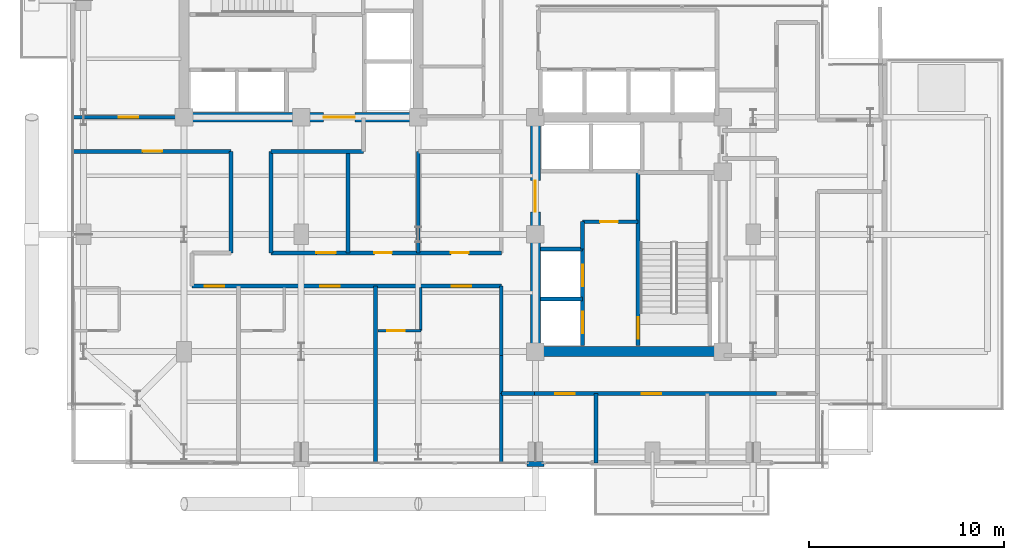
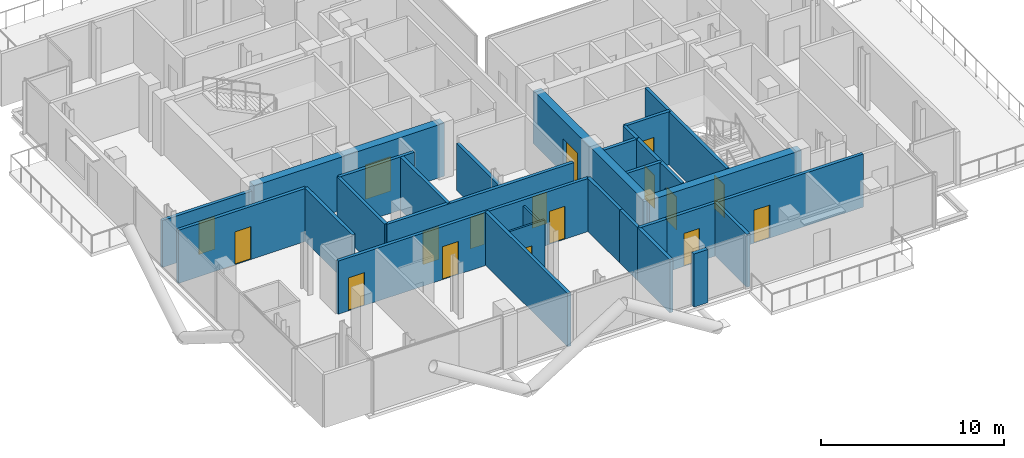
# One storey, part 21 of 28: 28 walls, 17 doors, 17 openings.
"""IFC4 building model written with IfcOpenShell, lengths in metres."""

from ifc_helpers import new_model, si_unit, direction, frame, frame_2d, origin, place, context, subcontext, project, spatial, rectangle, extrude, material, layer, layer_set, type_object, element, fill, save


model = new_model("IFC4")

# Units and contexts
model_context = context("Model", 3, precision=1e-05, world=origin(), true_north=direction((0.0, 1.0)))
body_context = subcontext(model_context, "Body", "Model", "MODEL_VIEW")
ifc_project = project(units=[si_unit("LENGTHUNIT", "METRE"), si_unit("AREAUNIT", "SQUARE_METRE"), si_unit("VOLUMEUNIT", "CUBIC_METRE"), si_unit("PLANEANGLEUNIT", "RADIAN"), si_unit("MASSUNIT", "GRAM", prefix="KILO"), si_unit("THERMODYNAMICTEMPERATUREUNIT", "KELVIN"), si_unit("POWERUNIT", "WATT")], contexts=[model_context])

# Site, building, storey
site_placement = place(None, origin())
site = spatial("IfcSite", under=ifc_project, at=site_placement, CompositionType="ELEMENT")
building_placement = place(site_placement, origin())
building = spatial("IfcBuilding", under=site, at=building_placement, Name="Svarakhadi Broadcast Tower", CompositionType="ELEMENT")
storey_placement = place(building_placement, frame((0.0, 0.0, 169.199951171875)))
storey = spatial("IfcBuildingStorey", under=building, at=storey_placement, Name="L41", CompositionType="ELEMENT", Elevation=169.199951171875)

# Wall, openings, doors
ifc_material_1 = material(Name="Double-Stud Acoustic Studio Partition STC-62", Category="gypsum")
ifc_layer_1 = layer(ifc_material_1, 0.199951171875)
ifc_layer_set_1 = layer_set([ifc_layer_1], Name="Double-Stud Acoustic Studio Partition STC-62")
wall_type_1 = type_object("IfcWallType", Name="Wall_Acoust_200", PredefinedType="PARTITIONING", material=ifc_layer_set_1)
wall_1_placement = place(storey_placement, frame((36.35009765625, 3.85009765625, 0.0), z_axis=(0.0, 0.0, 1.0), x_axis=(-1.0, 0.0, 0.0)))
wall_1 = element("IfcWall", 1, at=wall_1_placement, inside=storey, type_object=wall_type_1, Name="L41 Zone 2/3 Corridor Wall", PredefinedType="PARTITIONING", context=body_context, shape_type="SweptSolid", body=[
    extrude(rectangle(XDim=12.400146484375, YDim=0.199951171875, at=frame_2d((6.2001953125, 0.0))), origin(), (0.0, 0.0, 1.0), 3.5400390625),
])
opening_1_placement = place(wall_1_placement, frame((10.324951171875, 0.0, 0.0)))
opening_1 = element("IfcOpeningElement", 2, at=opening_1_placement, cuts=wall_1, Name="Opening D-09", PredefinedType="OPENING", context=body_context, shape_type="SweptSolid", body=[
    extrude(rectangle(XDim=1.0, YDim=2.199951171875, at=frame_2d((0.5, 1.10009765625))), frame((0.0, 0.10986328125, 0.0), z_axis=(0.0, -1.0, 0.0), x_axis=(1.0, 0.0, 0.0)), (0.0, 0.0, 1.0), 0.219970703125),
])
opening_2_placement = place(wall_1_placement, frame((5.89990234375, 0.0, 0.0)))
opening_2 = element("IfcOpeningElement", 3, at=opening_2_placement, cuts=wall_1, Name="Opening D-08", PredefinedType="OPENING", context=body_context, shape_type="SweptSolid", body=[
    extrude(rectangle(XDim=1.0, YDim=2.199951171875, at=frame_2d((0.5, 1.10009765625))), frame((0.0, 0.10986328125, 0.0), z_axis=(0.0, -1.0, 0.0), x_axis=(1.0, 0.0, 0.0)), (0.0, 0.0, 1.0), 0.219970703125),
])
ifc_material_2 = material(Name="Solid-Core Teak Veneer Acoustic Timber Leaf", Category="wood")
door_type_1 = type_object("IfcDoorType", Name="Door_Suite_D08", OperationType="SINGLE_SWING_LEFT", PredefinedType="DOOR", material=ifc_material_2)
door_1_placement = place(opening_2_placement, origin())
door_1 = element("IfcDoor", 4, at=door_1_placement, inside=storey, type_object=door_type_1, Name="L41 Private Dining Salon Door", OperationType="SINGLE_SWING_LEFT", OverallHeight=2.199951171875, OverallWidth=1.0, PredefinedType="DOOR", context=body_context, shape_type="SweptSolid", body=[
    extrude(rectangle(XDim=1.0, YDim=2.199951171875, at=frame_2d((0.5, 1.10009765625))), frame((0.0, 0.02490234375, 0.0), z_axis=(0.0, -1.0, 0.0), x_axis=(1.0, 0.0, 0.0)), (0.0, 0.0, 1.0), 0.050048828125),
])
fill(opening_2, door_1)
door_type_2 = type_object("IfcDoorType", Name="Door_Suite_D09", OperationType="SINGLE_SWING_RIGHT", PredefinedType="DOOR", material=ifc_material_2)
door_2_placement = place(opening_1_placement, origin())
door_2 = element("IfcDoor", 5, at=door_2_placement, inside=storey, type_object=door_type_2, Name="L41 Hotel Business Centre Office Door", OperationType="SINGLE_SWING_RIGHT", OverallHeight=2.199951171875, OverallWidth=1.0, PredefinedType="DOOR", context=body_context, shape_type="SweptSolid", body=[
    extrude(rectangle(XDim=1.0, YDim=2.199951171875, at=frame_2d((0.5, 1.10009765625))), frame((0.0, 0.02490234375, 0.0), z_axis=(0.0, -1.0, 0.0), x_axis=(1.0, 0.0, 0.0)), (0.0, 0.0, 1.0), 0.050048828125),
])
fill(opening_1, door_2)

# Walls
wall_2_placement = place(storey_placement, frame((23.949951171875, 3.85009765625, 0.0), z_axis=(0.0, 0.0, 1.0), x_axis=(-1.0, 0.0, 0.0)))
element("IfcWall", 6, at=wall_2_placement, inside=storey, type_object=wall_type_1, Name="L41 Zone 2/3 Corridor Wall", PredefinedType="PARTITIONING", context=body_context, shape_type="SweptSolid", body=[
    extrude(rectangle(XDim=1.699951171875, YDim=0.199951171875, at=frame_2d((0.85009765625, 0.0))), origin(), (0.0, 0.0, 1.0), 3.5400390625),
])
wall_3_placement = place(storey_placement, frame((22.25, 3.85009765625, 0.0), z_axis=(0.0, 0.0, 1.0), x_axis=(0.0, 1.0, 0.0)))
element("IfcWall", 7, at=wall_3_placement, inside=storey, type_object=wall_type_1, Name="L41 Zone 2/3 Corridor Wall", PredefinedType="PARTITIONING", context=body_context, shape_type="SweptSolid", body=[
    extrude(rectangle(XDim=1.949951171875, YDim=0.199951171875, at=frame_2d((0.97509765625, 0.0))), origin(), (0.0, 0.0, 1.0), 3.5400390625),
])
wall_4_placement = place(storey_placement, frame((22.25, 5.800048828125, 0.0), z_axis=(0.0, 0.0, 1.0), x_axis=(0.0, 1.0, 0.0)))
element("IfcWall", 8, at=wall_4_placement, inside=storey, type_object=wall_type_1, Name="L41 Zone 2/3 Corridor Wall", PredefinedType="PARTITIONING", context=body_context, shape_type="SweptSolid", body=[
    extrude(rectangle(XDim=3.550048828125, YDim=0.199951171875, at=frame_2d((1.77490234375, 0.0))), origin(), (0.0, 0.0, 1.0), 3.5400390625),
])

# Wall, openings, doors
wall_5_placement = place(storey_placement, frame((22.25, 9.35009765625, 0.0), z_axis=(0.0, 0.0, 1.0), x_axis=(-1.0, 0.0, 0.0)))
wall_5 = element("IfcWall", 9, at=wall_5_placement, inside=storey, type_object=wall_type_1, Name="L41 Zone 2/3 Corridor Wall", PredefinedType="PARTITIONING", context=body_context, shape_type="SweptSolid", body=[
    extrude(rectangle(XDim=15.85009765625, YDim=0.199951171875, at=frame_2d((7.925048828125, 0.0))), origin(), (0.0, 0.0, 1.0), 3.5400390625),
])
opening_3_placement = place(wall_5_placement, frame((14.18994140625, 0.0, 0.0)))
opening_3 = element("IfcOpeningElement", 10, at=opening_3_placement, cuts=wall_5, Name="Opening D-09", PredefinedType="OPENING", context=body_context, shape_type="SweptSolid", body=[
    extrude(rectangle(XDim=1.0, YDim=2.199951171875, at=frame_2d((0.5, 1.10009765625))), frame((0.0, 0.10986328125, 0.0), z_axis=(0.0, -1.0, 0.0), x_axis=(1.0, 0.0, 0.0)), (0.0, 0.0, 1.0), 0.219970703125),
])
opening_4_placement = place(wall_5_placement, frame((8.264892578125, 0.0, 0.0)))
opening_4 = element("IfcOpeningElement", 11, at=opening_4_placement, cuts=wall_5, Name="Opening D-08", PredefinedType="OPENING", context=body_context, shape_type="SweptSolid", body=[
    extrude(rectangle(XDim=1.0, YDim=2.199951171875, at=frame_2d((0.5, 1.10009765625))), frame((0.0, 0.10986328125, 0.0), z_axis=(0.0, -1.0, 0.0), x_axis=(1.0, 0.0, 0.0)), (0.0, 0.0, 1.0), 0.219970703125),
])
opening_5_placement = place(wall_5_placement, frame((1.5400390625, 0.0, 0.0)))
opening_5 = element("IfcOpeningElement", 12, at=opening_5_placement, cuts=wall_5, Name="Opening D-09", PredefinedType="OPENING", context=body_context, shape_type="SweptSolid", body=[
    extrude(rectangle(XDim=1.0, YDim=2.199951171875, at=frame_2d((0.5, 1.10009765625))), frame((0.0, 0.10986328125, 0.0), z_axis=(0.0, -1.0, 0.0), x_axis=(1.0, 0.0, 0.0)), (0.0, 0.0, 1.0), 0.219970703125),
])
door_3_placement = place(opening_4_placement, origin())
door_3 = element("IfcDoor", 13, at=door_3_placement, inside=storey, type_object=door_type_1, Name="L41 Deluxe Sea-View Guest Room 02 Entrance Door", OperationType="SINGLE_SWING_LEFT", OverallHeight=2.199951171875, OverallWidth=1.0, PredefinedType="DOOR", context=body_context, shape_type="SweptSolid", body=[
    extrude(rectangle(XDim=1.0, YDim=2.199951171875, at=frame_2d((0.5, 1.10009765625))), frame((0.0, 0.02490234375, 0.0), z_axis=(0.0, -1.0, 0.0), x_axis=(1.0, 0.0, 0.0)), (0.0, 0.0, 1.0), 0.050048828125),
])
fill(opening_4, door_3)
door_4_placement = place(opening_3_placement, origin())
door_4 = element("IfcDoor", 14, at=door_4_placement, inside=storey, type_object=door_type_2, Name="L41 Deluxe Sea-View Guest Room 01 Entrance Door", OperationType="SINGLE_SWING_RIGHT", OverallHeight=2.199951171875, OverallWidth=1.0, PredefinedType="DOOR", context=body_context, shape_type="SweptSolid", body=[
    extrude(rectangle(XDim=1.0, YDim=2.199951171875, at=frame_2d((0.5, 1.10009765625))), frame((0.0, 0.02490234375, 0.0), z_axis=(0.0, -1.0, 0.0), x_axis=(1.0, 0.0, 0.0)), (0.0, 0.0, 1.0), 0.050048828125),
])
fill(opening_3, door_4)
door_5_placement = place(opening_5_placement, origin())
door_5 = element("IfcDoor", 15, at=door_5_placement, inside=storey, type_object=door_type_2, Name="L41 Deluxe Sea-View Guest Room 03 Entrance Door", OperationType="SINGLE_SWING_RIGHT", OverallHeight=2.199951171875, OverallWidth=1.0, PredefinedType="DOOR", context=body_context, shape_type="SweptSolid", body=[
    extrude(rectangle(XDim=1.0, YDim=2.199951171875, at=frame_2d((0.5, 1.10009765625))), frame((0.0, 0.02490234375, 0.0), z_axis=(0.0, -1.0, 0.0), x_axis=(1.0, 0.0, 0.0)), (0.0, 0.0, 1.0), 0.050048828125),
])
fill(opening_5, door_5)

# Wall
wall_6_placement = place(storey_placement, frame((8.39990234375, 11.050048828125, 0.0), z_axis=(0.0, 0.0, 1.0), x_axis=(0.0, 1.0, 0.0)))
element("IfcWall", 16, at=wall_6_placement, inside=storey, type_object=wall_type_1, Name="L41 Zone 2/3 Corridor Wall", PredefinedType="PARTITIONING", context=body_context, shape_type="SweptSolid", body=[
    extrude(rectangle(XDim=5.199951171875, YDim=0.199951171875, at=frame_2d((2.60009765625, 0.0))), origin(), (0.0, 0.0, 1.0), 3.5400390625),
])

# Wall, opening, door
wall_7_placement = place(storey_placement, frame((8.39990234375, 16.25, 0.0), z_axis=(0.0, 0.0, 1.0), x_axis=(-1.0, 0.0, 0.0)))
wall_7 = element("IfcWall", 17, at=wall_7_placement, inside=storey, type_object=wall_type_1, Name="L41 Zone 2/3 Corridor Wall", PredefinedType="PARTITIONING", context=body_context, shape_type="SweptSolid", body=[
    extrude(rectangle(XDim=8.099853515625, YDim=0.199951171875, at=frame_2d((4.0498046875, 0.0))), origin(), (0.0, 0.0, 1.0), 3.5400390625),
])
opening_6_placement = place(wall_7_placement, frame((3.52490234375, 0.0, 0.0)))
opening_6 = element("IfcOpeningElement", 18, at=opening_6_placement, cuts=wall_7, Name="Opening D-08", PredefinedType="OPENING", context=body_context, shape_type="SweptSolid", body=[
    extrude(rectangle(XDim=1.0, YDim=2.199951171875, at=frame_2d((0.5, 1.10009765625))), frame((0.0, 0.10986328125, 0.0), z_axis=(0.0, -1.0, 0.0), x_axis=(1.0, 0.0, 0.0)), (0.0, 0.0, 1.0), 0.219970703125),
])
door_6_placement = place(opening_6_placement, origin())
door_6 = element("IfcDoor", 19, at=door_6_placement, inside=storey, type_object=door_type_1, Name="L41 Arabian Sea Club Lounge Door", OperationType="SINGLE_SWING_LEFT", OverallHeight=2.199951171875, OverallWidth=1.0, PredefinedType="DOOR", context=body_context, shape_type="SweptSolid", body=[
    extrude(rectangle(XDim=1.0, YDim=2.199951171875, at=frame_2d((0.5, 1.10009765625))), frame((0.0, 0.02490234375, 0.0), z_axis=(0.0, -1.0, 0.0), x_axis=(1.0, 0.0, 0.0)), (0.0, 0.0, 1.0), 0.050048828125),
])
fill(opening_6, door_6)

# Walls
wall_8_placement = place(storey_placement, frame((15.199951171875, 16.25, 0.0), z_axis=(0.0, 0.0, 1.0), x_axis=(-1.0, 0.0, 0.0)))
element("IfcWall", 20, at=wall_8_placement, inside=storey, type_object=wall_type_1, Name="L41 Zone 2/3 Corridor Wall", PredefinedType="PARTITIONING", context=body_context, shape_type="SweptSolid", body=[
    extrude(rectangle(XDim=4.75, YDim=0.199951171875, at=frame_2d((2.375, 0.0))), origin(), (0.0, 0.0, 1.0), 3.5400390625),
])
wall_9_placement = place(storey_placement, frame((10.449951171875, 16.25, 0.0), z_axis=(0.0, 0.0, 1.0), x_axis=(0.0, -1.0, 0.0)))
element("IfcWall", 21, at=wall_9_placement, inside=storey, type_object=wall_type_1, Name="L41 Zone 2/3 Corridor Wall", PredefinedType="PARTITIONING", context=body_context, shape_type="SweptSolid", body=[
    extrude(rectangle(XDim=5.199951171875, YDim=0.199951171875, at=frame_2d((2.60009765625, 0.0))), origin(), (0.0, 0.0, 1.0), 3.5400390625),
])

# Wall, openings, doors
wall_10_placement = place(storey_placement, frame((10.449951171875, 11.050048828125, 0.0), z_axis=(0.0, 0.0, 1.0), x_axis=(1.0, 0.0, 0.0)))
wall_10 = element("IfcWall", 22, at=wall_10_placement, inside=storey, type_object=wall_type_1, Name="L41 Zone 2/3 Corridor Wall", PredefinedType="PARTITIONING", context=body_context, shape_type="SweptSolid", body=[
    extrude(rectangle(XDim=11.800048828125, YDim=0.199951171875, at=frame_2d((5.89990234375, 0.0))), origin(), (0.0, 0.0, 1.0), 3.5400390625),
])
opening_7_placement = place(wall_10_placement, frame((2.330078125, 0.0, 0.0)))
opening_7 = element("IfcOpeningElement", 23, at=opening_7_placement, cuts=wall_10, Name="Opening D-09", PredefinedType="OPENING", context=body_context, shape_type="SweptSolid", body=[
    extrude(rectangle(XDim=1.0, YDim=2.199951171875, at=frame_2d((0.5, 1.10009765625))), frame((0.0, 0.10986328125, 0.0), z_axis=(0.0, -1.0, 0.0), x_axis=(1.0, 0.0, 0.0)), (0.0, 0.0, 1.0), 0.219970703125),
])
opening_8_placement = place(wall_10_placement, frame((5.300048828125, 0.0, 0.0)))
opening_8 = element("IfcOpeningElement", 24, at=opening_8_placement, cuts=wall_10, Name="Opening D-12", PredefinedType="OPENING", context=body_context, shape_type="SweptSolid", body=[
    extrude(rectangle(XDim=0.89990234375, YDim=2.10009765625, at=frame_2d((0.449951171875, 1.050048828125))), frame((0.0, 0.10986328125, 0.0), z_axis=(0.0, -1.0, 0.0), x_axis=(1.0, 0.0, 0.0)), (0.0, 0.0, 1.0), 0.219970703125),
])
opening_9_placement = place(wall_10_placement, frame((9.22509765625, 0.0, 0.0)))
opening_9 = element("IfcOpeningElement", 25, at=opening_9_placement, cuts=wall_10, Name="Opening D-13", PredefinedType="OPENING", context=body_context, shape_type="SweptSolid", body=[
    extrude(rectangle(XDim=0.89990234375, YDim=2.10009765625, at=frame_2d((0.449951171875, 1.050048828125))), frame((0.0, 0.10986328125, 0.0), z_axis=(0.0, -1.0, 0.0), x_axis=(1.0, 0.0, 0.0)), (0.0, 0.0, 1.0), 0.219970703125),
])
door_type_3 = type_object("IfcDoorType", Name="Door_Closet_D13", OperationType="SINGLE_SWING_RIGHT", PredefinedType="DOOR", material=ifc_material_2)
door_7_placement = place(opening_9_placement, origin())
door_7 = element("IfcDoor", 26, at=door_7_placement, inside=storey, type_object=door_type_3, Name="L41 Accessible Floor Washroom WC Door", OperationType="SINGLE_SWING_RIGHT", OverallHeight=2.10009765625, OverallWidth=0.89990234375, PredefinedType="DOOR", context=body_context, shape_type="SweptSolid", body=[
    extrude(rectangle(XDim=0.89990234375, YDim=2.10009765625, at=frame_2d((0.449951171875, 1.050048828125))), frame((0.0, 0.02490234375, 0.0), z_axis=(0.0, -1.0, 0.0), x_axis=(1.0, 0.0, 0.0)), (0.0, 0.0, 1.0), 0.050048828125),
])
fill(opening_9, door_7)
door_8_placement = place(opening_7_placement, origin())
door_8 = element("IfcDoor", 27, at=door_8_placement, inside=storey, type_object=door_type_2, Name="L41 Acoustic Huddle Booth Door", OperationType="SINGLE_SWING_RIGHT", OverallHeight=2.199951171875, OverallWidth=1.0, PredefinedType="DOOR", context=body_context, shape_type="SweptSolid", body=[
    extrude(rectangle(XDim=1.0, YDim=2.199951171875, at=frame_2d((0.5, 1.10009765625))), frame((0.0, 0.02490234375, 0.0), z_axis=(0.0, -1.0, 0.0), x_axis=(1.0, 0.0, 0.0)), (0.0, 0.0, 1.0), 0.050048828125),
])
fill(opening_7, door_8)
door_type_4 = type_object("IfcDoorType", Name="Door_WC_D01", OperationType="SINGLE_SWING_LEFT", PredefinedType="DOOR", material=ifc_material_2)
door_9_placement = place(opening_8_placement, origin())
door_9 = element("IfcDoor", 28, at=door_9_placement, inside=storey, type_object=door_type_4, Name="L41 Tea Bar Pantry Door", OperationType="SINGLE_SWING_LEFT", OverallHeight=2.10009765625, OverallWidth=0.89990234375, PredefinedType="DOOR", context=body_context, shape_type="SweptSolid", body=[
    extrude(rectangle(XDim=0.89990234375, YDim=2.10009765625, at=frame_2d((0.449951171875, 1.050048828125))), frame((0.0, 0.02490234375, 0.0), z_axis=(0.0, -1.0, 0.0), x_axis=(1.0, 0.0, 0.0)), (0.0, 0.0, 1.0), 0.050048828125),
])
fill(opening_8, door_9)

# Walls
wall_11_placement = place(storey_placement, frame((14.39990234375, 11.050048828125, 0.0), z_axis=(0.0, 0.0, 1.0), x_axis=(0.0, 1.0, 0.0)))
element("IfcWall", 29, at=wall_11_placement, inside=storey, type_object=wall_type_1, Name="L41 Acoustic Huddle Booth Wall", PredefinedType="PARTITIONING", context=body_context, shape_type="SweptSolid", body=[
    extrude(rectangle(XDim=5.199951171875, YDim=0.199951171875, at=frame_2d((2.60009765625, 0.0))), origin(), (0.0, 0.0, 1.0), 3.5400390625),
])
wall_12_placement = place(storey_placement, frame((18.0, 11.050048828125, 0.0), z_axis=(0.0, 0.0, 1.0), x_axis=(0.0, 1.0, 0.0)))
element("IfcWall", 30, at=wall_12_placement, inside=storey, type_object=wall_type_1, Name="L41 Tea Bar Pantry Wall", PredefinedType="PARTITIONING", context=body_context, shape_type="SweptSolid", body=[
    extrude(rectangle(XDim=5.199951171875, YDim=0.199951171875, at=frame_2d((2.60009765625, 0.0))), origin(), (0.0, 0.0, 1.0), 3.132080078125),
])

# Wall, opening, door
wall_13_placement = place(storey_placement, frame((0.300048828125, 18.0, 0.0), z_axis=(0.0, 0.0, 1.0), x_axis=(1.0, 0.0, 0.0)))
wall_13 = element("IfcWall", 31, at=wall_13_placement, inside=storey, type_object=wall_type_1, Name="L41 Sea-View Panorama Club Salon Wall", PredefinedType="PARTITIONING", context=body_context, shape_type="SweptSolid", body=[
    extrude(rectangle(XDim=5.64990234375, YDim=0.199951171875, at=frame_2d((2.824951171875, 0.0))), origin(), (0.0, 0.0, 1.0), 3.132080078125),
])
opening_10_placement = place(wall_13_placement, frame((2.35009765625, 0.0, 0.0)))
opening_10 = element("IfcOpeningElement", 32, at=opening_10_placement, cuts=wall_13, Name="Opening D-08", PredefinedType="OPENING", context=body_context, shape_type="SweptSolid", body=[
    extrude(rectangle(XDim=1.0, YDim=2.199951171875, at=frame_2d((0.5, 1.10009765625))), frame((0.0, 0.10986328125, 0.0), z_axis=(0.0, -1.0, 0.0), x_axis=(1.0, 0.0, 0.0)), (0.0, 0.0, 1.0), 0.219970703125),
])
door_10_placement = place(opening_10_placement, origin())
door_10 = element("IfcDoor", 33, at=door_10_placement, inside=storey, type_object=door_type_1, Name="L41 Sea-View Panorama Club Salon Door", OperationType="SINGLE_SWING_LEFT", OverallHeight=2.199951171875, OverallWidth=1.0, PredefinedType="DOOR", context=body_context, shape_type="SweptSolid", body=[
    extrude(rectangle(XDim=1.0, YDim=2.199951171875, at=frame_2d((0.5, 1.10009765625))), frame((0.0, 0.02490234375, 0.0), z_axis=(0.0, -1.0, 0.0), x_axis=(1.0, 0.0, 0.0)), (0.0, 0.0, 1.0), 0.050048828125),
])
fill(opening_10, door_10)

# Walls
for number, where, z_axis, x_axis, name in (
    (34, (22.25, 0.300048828125, 0.0), (0.0, 0.0, 1.0), (0.0, 1.0, 0.0), "L41 Hotel Business Centre Office Wall"),
    (35, (27.10009765625, 0.300048828125, 0.0), (0.0, 0.0, 1.0), (0.0, 1.0, 0.0), "L41 Hotel Business Centre Office Wall"),
):
    element("IfcWall", number, at=place(storey_placement, frame(where, z_axis=z_axis, x_axis=x_axis)), inside=storey, type_object=wall_type_1, Name=name, PredefinedType="PARTITIONING", context=body_context, shape_type="SweptSolid", body=[
        extrude(rectangle(XDim=3.550048828125, YDim=0.199951171875, at=frame_2d((1.77490234375, 0.0))), origin(), (0.0, 0.0, 1.0), 3.5400390625),
    ])
wall_14_placement = place(storey_placement, frame((15.800048828125, 0.300048828125, 0.0), z_axis=(0.0, 0.0, 1.0), x_axis=(0.0, 1.0, 0.0)))
element("IfcWall", 36, at=wall_14_placement, inside=storey, type_object=wall_type_1, Name="L41 Deluxe Sea-View Guest Room 02 Wall", PredefinedType="PARTITIONING", context=body_context, shape_type="SweptSolid", body=[
    extrude(rectangle(XDim=9.050048828125, YDim=0.199951171875, at=frame_2d((4.52490234375, 0.0))), origin(), (0.0, 0.0, 1.0), 3.5400390625),
])
ifc_material_3 = material(Name="Concrete C40/50 (IS 456 M50)", Category="concrete")
ifc_layer_2 = layer(ifc_material_3, 0.239990234375)
ifc_layer_set_2 = layer_set([ifc_layer_2], Name="Concrete C40/50 (IS 456 M50)")
wall_type_2 = type_object("IfcWallType", Name="Wall_Ext_240", PredefinedType="SOLIDWALL", material=ifc_layer_set_2)
wall_15_placement = place(storey_placement, frame((24.43994140625, 0.239990234375, 0.0), z_axis=(0.0, 0.0, 1.0), x_axis=(-1.0, 0.0, 0.0)))
element("IfcWall", 37, at=wall_15_placement, inside=storey, type_object=wall_type_2, Name="L41 Perimeter Bronze Spandrel Closure Wall 01", PredefinedType="SOLIDWALL", context=body_context, shape_type="SweptSolid", body=[
    extrude(rectangle(XDim=0.8798828125, YDim=0.239990234375, at=frame_2d((0.43994140625, 0.0))), origin(), (0.0, 0.0, 1.0), 3.5400390625),
])

# Wall, opening, door
ifc_material_4 = material(Name="Fire-Rated Moisture-Resistant Gypsum Board Partition", Category="gypsum")
ifc_layer_3 = layer(ifc_material_4, 0.125)
ifc_layer_set_3 = layer_set([ifc_layer_3], Name="Fire-Rated Moisture-Resistant Gypsum Board Partition")
wall_type_3 = type_object("IfcWallType", Name="Wall_Part_125", PredefinedType="PARTITIONING", material=ifc_layer_set_3)
wall_16_placement = place(storey_placement, frame((15.929931640625, 7.070068359375, 0.0), z_axis=(0.0, 0.0, 1.0), x_axis=(1.0, 0.0, 0.0)))
wall_16 = element("IfcWall", 38, at=wall_16_placement, inside=storey, type_object=wall_type_3, Name="L41 Deluxe Sea-View Guest Room 03 En-Suite Wall", PredefinedType="PARTITIONING", context=body_context, shape_type="SweptSolid", body=[
    extrude(rectangle(XDim=2.199951171875, YDim=0.125, at=frame_2d((1.10009765625, 0.0))), origin(), (0.0, 0.0, 1.0), 3.5400390625),
])
opening_11_placement = place(wall_16_placement, frame((0.47998046875, 0.0, 0.0)))
opening_11 = element("IfcOpeningElement", 39, at=opening_11_placement, cuts=wall_16, Name="Opening D-12", PredefinedType="OPENING", context=body_context, shape_type="SweptSolid", body=[
    extrude(rectangle(XDim=0.89990234375, YDim=2.10009765625, at=frame_2d((0.449951171875, 1.050048828125))), frame((0.0, 0.072509765625, 0.0), z_axis=(0.0, -1.0, 0.0), x_axis=(1.0, 0.0, 0.0)), (0.0, 0.0, 1.0), 0.14501953125),
])
door_11_placement = place(opening_11_placement, origin())
door_11 = element("IfcDoor", 40, at=door_11_placement, inside=storey, type_object=door_type_4, Name="L41 Deluxe Sea-View Guest Room 03 En-Suite Door", OperationType="SINGLE_SWING_LEFT", OverallHeight=2.10009765625, OverallWidth=0.89990234375, PredefinedType="DOOR", context=body_context, shape_type="SweptSolid", body=[
    extrude(rectangle(XDim=0.89990234375, YDim=2.10009765625, at=frame_2d((0.449951171875, 1.050048828125))), frame((0.0, 0.02490234375, 0.0), z_axis=(0.0, -1.0, 0.0), x_axis=(1.0, 0.0, 0.0)), (0.0, 0.0, 1.0), 0.050048828125),
])
fill(opening_11, door_11)

# Wall
wall_17_placement = place(storey_placement, frame((18.1298828125, 7.070068359375, 0.0), z_axis=(0.0, 0.0, 1.0), x_axis=(0.0, 1.0, 0.0)))
element("IfcWall", 41, at=wall_17_placement, inside=storey, type_object=wall_type_3, Name="L41 Deluxe Sea-View Guest Room 03 En-Suite Wall", PredefinedType="PARTITIONING", context=body_context, shape_type="SweptSolid", body=[
    extrude(rectangle(XDim=2.199951171875, YDim=0.125, at=frame_2d((1.10009765625, 0.0))), origin(), (0.0, 0.0, 1.0), 3.132080078125),
])

# Wall, opening, door
ifc_material_5 = material(Name="Concrete C50/60 (IS 456 M60)", Category="concrete")
ifc_layer_4 = layer(ifc_material_5, 0.199951171875)
ifc_layer_set_4 = layer_set([ifc_layer_4], Name="Concrete C50/60 (IS 456 M60)")
wall_type_4 = type_object("IfcWallType", Name="Wall_Shear_200", PredefinedType="SHEAR", material=ifc_layer_set_4)
wall_18_placement = place(storey_placement, frame((29.260009765625, 6.300048828125, 0.0), z_axis=(0.0, 0.0, 1.0), x_axis=(0.0, 1.0, 0.0)))
wall_18 = element("IfcWall", 42, at=wall_18_placement, inside=storey, type_object=wall_type_4, Name="L41 Stair ST-02 West RC Shaft Wall", PredefinedType="SHEAR", context=body_context, shape_type="SweptSolid", body=[
    extrude(rectangle(XDim=8.8798828125, YDim=0.199951171875, at=frame_2d((4.43994140625, 0.0))), origin(), (0.0, 0.0, 1.0), 3.5400390625),
])
opening_12_placement = place(wall_18_placement, frame((0.35009765625, 0.0, 0.0)))
opening_12 = element("IfcOpeningElement", 43, at=opening_12_placement, cuts=wall_18, Name="Opening D-02", PredefinedType="OPENING", context=body_context, shape_type="SweptSolid", body=[
    extrude(rectangle(XDim=1.10009765625, YDim=2.199951171875, at=frame_2d((0.550048828125, 1.10009765625))), frame((0.0, 0.10986328125, 0.0), z_axis=(0.0, -1.0, 0.0), x_axis=(1.0, 0.0, 0.0)), (0.0, 0.0, 1.0), 0.219970703125),
])
ifc_material_6 = material(Name="Galvanised Powder-Coated Fire-Rated Steel Leaf", Category="steel")
door_type_5 = type_object("IfcDoorType", Name="Door_Stair_D02", OperationType="SINGLE_SWING_RIGHT", PredefinedType="DOOR", material=ifc_material_6)
door_12_placement = place(opening_12_placement, origin())
door_12 = element("IfcDoor", 44, at=door_12_placement, inside=storey, type_object=door_type_5, Name="L41 Protected Exit Stair ST-02 Fire Door", OperationType="SINGLE_SWING_RIGHT", OverallHeight=2.199951171875, OverallWidth=1.10009765625, PredefinedType="DOOR", context=body_context, shape_type="SweptSolid", body=[
    extrude(rectangle(XDim=1.10009765625, YDim=2.199951171875, at=frame_2d((0.550048828125, 1.10009765625))), frame((0.0, 0.02490234375, 0.0), z_axis=(0.0, -1.0, 0.0), x_axis=(1.0, 0.0, 0.0)), (0.0, 0.0, 1.0), 0.050048828125),
])
fill(opening_12, door_12)

# Wall, openings, doors
wall_19_placement = place(storey_placement, frame((26.419921875, 6.300048828125, 0.0), z_axis=(0.0, 0.0, 1.0), x_axis=(0.0, 1.0, 0.0)))
wall_19 = element("IfcWall", 45, at=wall_19_placement, inside=storey, type_object=wall_type_4, Name="L41 Firefighting Lift LF-03/04 Shaft Wall", PredefinedType="SHEAR", context=body_context, shape_type="SweptSolid", body=[
    extrude(rectangle(XDim=4.949951171875, YDim=0.199951171875, at=frame_2d((2.47509765625, 0.0))), origin(), (0.0, 0.0, 1.0), 3.5400390625),
])
opening_13_placement = place(wall_19_placement, frame((0.64990234375, 0.0, 0.0)))
opening_13 = element("IfcOpeningElement", 46, at=opening_13_placement, cuts=wall_19, Name="Opening LD-01", PredefinedType="OPENING", context=body_context, shape_type="SweptSolid", body=[
    extrude(rectangle(XDim=1.10009765625, YDim=2.199951171875, at=frame_2d((0.550048828125, 1.10009765625))), frame((0.0, 0.10986328125, 0.0), z_axis=(0.0, -1.0, 0.0), x_axis=(1.0, 0.0, 0.0)), (0.0, 0.0, 1.0), 0.219970703125),
])
opening_14_placement = place(wall_19_placement, frame((3.050048828125, 0.0, 0.0)))
opening_14 = element("IfcOpeningElement", 47, at=opening_14_placement, cuts=wall_19, Name="Opening LD-01", PredefinedType="OPENING", context=body_context, shape_type="SweptSolid", body=[
    extrude(rectangle(XDim=1.10009765625, YDim=2.199951171875, at=frame_2d((0.550048828125, 1.10009765625))), frame((0.0, 0.10986328125, 0.0), z_axis=(0.0, -1.0, 0.0), x_axis=(1.0, 0.0, 0.0)), (0.0, 0.0, 1.0), 0.219970703125),
])
door_type_6 = type_object("IfcDoorType", Name="Door_Lift_LD01", OperationType="SLIDING_TO_LEFT", PredefinedType="DOOR", material=ifc_material_6)
door_13_placement = place(opening_13_placement, origin())
door_13 = element("IfcDoor", 48, at=door_13_placement, inside=storey, type_object=door_type_6, Name="L41 Firefighting Lift LF-03 Landing Door", OperationType="SLIDING_TO_LEFT", OverallHeight=2.199951171875, OverallWidth=1.10009765625, PredefinedType="DOOR", context=body_context, shape_type="SweptSolid", body=[
    extrude(rectangle(XDim=1.10009765625, YDim=2.199951171875, at=frame_2d((0.550048828125, 1.10009765625))), frame((0.0, 0.02490234375, 0.0), z_axis=(0.0, -1.0, 0.0), x_axis=(1.0, 0.0, 0.0)), (0.0, 0.0, 1.0), 0.050048828125),
])
fill(opening_13, door_13)
door_14_placement = place(opening_14_placement, origin())
door_14 = element("IfcDoor", 49, at=door_14_placement, inside=storey, type_object=door_type_6, Name="L41 Firefighting Lift LF-04 Landing Door", OperationType="SLIDING_TO_LEFT", OverallHeight=2.199951171875, OverallWidth=1.10009765625, PredefinedType="DOOR", context=body_context, shape_type="SweptSolid", body=[
    extrude(rectangle(XDim=1.10009765625, YDim=2.199951171875, at=frame_2d((0.550048828125, 1.10009765625))), frame((0.0, 0.02490234375, 0.0), z_axis=(0.0, -1.0, 0.0), x_axis=(1.0, 0.0, 0.0)), (0.0, 0.0, 1.0), 0.050048828125),
])
fill(opening_14, door_14)

# Walls
for number, where, z_axis, x_axis, name in (
    (50, (24.25, 8.699951171875, 0.0), (0.0, 0.0, 1.0), (1.0, 0.0, 0.0), "L41 Firefighting Lift LF-03/04 Divider Wall"),
    (51, (24.25, 11.25, 0.0), (0.0, 0.0, 1.0), (1.0, 0.0, 0.0), "L41 Firefighting Lift LF-04 North Wall"),
):
    element("IfcWall", number, at=place(storey_placement, frame(where, z_axis=z_axis, x_axis=x_axis)), inside=storey, type_object=wall_type_4, Name=name, PredefinedType="SHEAR", context=body_context, shape_type="SweptSolid", body=[
        extrude(rectangle(XDim=2.169921875, YDim=0.199951171875, at=frame_2d((1.0849609375, 0.0))), origin(), (0.0, 0.0, 1.0), 3.5400390625),
    ])
wall_20_placement = place(storey_placement, frame((26.419921875, 11.25, 0.0), z_axis=(0.0, 0.0, 1.0), x_axis=(0.0, 1.0, 0.0)))
element("IfcWall", 52, at=wall_20_placement, inside=storey, type_object=wall_type_4, Name="L41 East Firefighting Lobby West Wall", PredefinedType="SHEAR", context=body_context, shape_type="SweptSolid", body=[
    extrude(rectangle(XDim=1.39990234375, YDim=0.199951171875, at=frame_2d((0.699951171875, 0.0))), origin(), (0.0, 0.0, 1.0), 3.5400390625),
])

# Wall, opening, door
wall_21_placement = place(storey_placement, frame((26.419921875, 12.64990234375, 0.0), z_axis=(0.0, 0.0, 1.0), x_axis=(1.0, 0.0, 0.0)))
wall_21 = element("IfcWall", 53, at=wall_21_placement, inside=storey, type_object=wall_type_4, Name="L41 East Firefighting Lobby North Wall", PredefinedType="SHEAR", context=body_context, shape_type="SweptSolid", body=[
    extrude(rectangle(XDim=2.840087890625, YDim=0.199951171875, at=frame_2d((1.419921875, 0.0))), origin(), (0.0, 0.0, 1.0), 3.5400390625),
])
opening_15_placement = place(wall_21_placement, frame((0.89990234375, 0.0, 0.0)))
opening_15 = element("IfcOpeningElement", 54, at=opening_15_placement, cuts=wall_21, Name="Opening D-04", PredefinedType="OPENING", context=body_context, shape_type="SweptSolid", body=[
    extrude(rectangle(XDim=0.89990234375, YDim=2.14990234375, at=frame_2d((0.449951171875, 1.074951171875))), frame((0.0, 0.10986328125, 0.0), z_axis=(0.0, -1.0, 0.0), x_axis=(1.0, 0.0, 0.0)), (0.0, 0.0, 1.0), 0.219970703125),
])
door_type_7 = type_object("IfcDoorType", Name="Door_Fire_D04", OperationType="SINGLE_SWING_RIGHT", PredefinedType="DOOR", material=ifc_material_6)
door_15_placement = place(opening_15_placement, origin())
door_15 = element("IfcDoor", 55, at=door_15_placement, inside=storey, type_object=door_type_7, Name="L41 East Firefighting Lobby Fire Door", OperationType="SINGLE_SWING_RIGHT", OverallHeight=2.14990234375, OverallWidth=0.89990234375, PredefinedType="DOOR", context=body_context, shape_type="SweptSolid", body=[
    extrude(rectangle(XDim=0.89990234375, YDim=2.14990234375, at=frame_2d((0.449951171875, 1.074951171875))), frame((0.0, 0.02490234375, 0.0), z_axis=(0.0, -1.0, 0.0), x_axis=(1.0, 0.0, 0.0)), (0.0, 0.0, 1.0), 0.050048828125),
])
fill(opening_15, door_15)

ifc_layer_5 = layer(ifc_material_5, 0.5)
ifc_layer_set_5 = layer_set([ifc_layer_5], Name="Concrete C50/60 (IS 456 M60)")
wall_type_5 = type_object("IfcWallType", Name="Wall_Shear_500", PredefinedType="SHEAR", material=ifc_layer_set_5)
wall_22_placement = place(storey_placement, frame((6.0, 18.0, 0.0), z_axis=(0.0, 0.0, 1.0), x_axis=(1.0, 0.0, 0.0)))
wall_22 = element("IfcWall", 56, at=wall_22_placement, inside=storey, type_object=wall_type_5, Name="L41 West Core South Shear Wall", PredefinedType="SHEAR", context=body_context, shape_type="SweptSolid", body=[
    extrude(rectangle(XDim=12.0, YDim=0.5, at=frame_2d((6.0, 0.0))), origin(), (0.0, 0.0, 1.0), 3.5400390625),
])
opening_16_placement = place(wall_22_placement, frame((7.14990234375, 0.0, 0.0)))
opening_16 = element("IfcOpeningElement", 57, at=opening_16_placement, cuts=wall_22, Name="Opening D-05", PredefinedType="OPENING", context=body_context, shape_type="SweptSolid", body=[
    extrude(rectangle(XDim=1.60009765625, YDim=2.300048828125, at=frame_2d((0.800048828125, 1.14990234375))), frame((0.0, 0.260009765625, 0.0), z_axis=(0.0, -1.0, 0.0), x_axis=(1.0, 0.0, 0.0)), (0.0, 0.0, 1.0), 0.52001953125),
])
ifc_material_7 = material(Name="Anodised Bronze Aluminium AA 6063-T6", Category="aluminium")
door_type_8 = type_object("IfcDoorType", Name="Door_Lobby_D05", OperationType="DOUBLE_DOOR_SLIDING", PredefinedType="DOOR", material=ifc_material_7)
door_16_placement = place(opening_16_placement, origin())
door_16 = element("IfcDoor", 58, at=door_16_placement, inside=storey, type_object=door_type_8, Name="L41 West Core Passenger Lift Lobby Entrance Door", OperationType="DOUBLE_DOOR_SLIDING", OverallHeight=2.300048828125, OverallWidth=1.60009765625, PredefinedType="DOOR", context=body_context, shape_type="SweptSolid", body=[
    extrude(rectangle(XDim=1.60009765625, YDim=2.300048828125, at=frame_2d((0.800048828125, 1.14990234375))), frame((0.0, 0.02490234375, 0.0), z_axis=(0.0, -1.0, 0.0), x_axis=(1.0, 0.0, 0.0)), (0.0, 0.0, 1.0), 0.050048828125),
])
fill(opening_16, door_16)

# Wall
wall_23_placement = place(storey_placement, frame((24.0, 6.0, 0.0), z_axis=(0.0, 0.0, 1.0), x_axis=(1.0, 0.0, 0.0)))
element("IfcWall", 59, at=wall_23_placement, inside=storey, type_object=wall_type_5, Name="L41 East Core South Shear Wall", PredefinedType="SHEAR", context=body_context, shape_type="SweptSolid", body=[
    extrude(rectangle(XDim=9.60009765625, YDim=0.5, at=frame_2d((4.800048828125, 0.0))), origin(), (0.0, 0.0, 1.0), 3.5400390625),
])

# Wall, opening, door
wall_24_placement = place(storey_placement, frame((24.0, 6.0, 0.0), z_axis=(0.0, 0.0, 1.0), x_axis=(0.0, 1.0, 0.0)))
wall_24 = element("IfcWall", 60, at=wall_24_placement, inside=storey, type_object=wall_type_5, Name="L41 East Core West Shear Wall", PredefinedType="SHEAR", context=body_context, shape_type="SweptSolid", body=[
    extrude(rectangle(XDim=12.0, YDim=0.5, at=frame_2d((6.0, 0.0))), origin(), (0.0, 0.0, 1.0), 3.5400390625),
])
opening_17_placement = place(wall_24_placement, frame((7.14990234375, 0.0, 0.0)))
opening_17 = element("IfcOpeningElement", 61, at=opening_17_placement, cuts=wall_24, Name="Opening D-05", PredefinedType="OPENING", context=body_context, shape_type="SweptSolid", body=[
    extrude(rectangle(XDim=1.60009765625, YDim=2.300048828125, at=frame_2d((0.800048828125, 1.14990234375))), frame((0.0, 0.260009765625, 0.0), z_axis=(0.0, -1.0, 0.0), x_axis=(1.0, 0.0, 0.0)), (0.0, 0.0, 1.0), 0.52001953125),
])
door_17_placement = place(opening_17_placement, origin())
door_17 = element("IfcDoor", 62, at=door_17_placement, inside=storey, type_object=door_type_8, Name="L41 East Core Passenger Lift Lobby Entrance Door", OperationType="DOUBLE_DOOR_SLIDING", OverallHeight=2.300048828125, OverallWidth=1.60009765625, PredefinedType="DOOR", context=body_context, shape_type="SweptSolid", body=[
    extrude(rectangle(XDim=1.60009765625, YDim=2.300048828125, at=frame_2d((0.800048828125, 1.14990234375))), frame((0.0, 0.02490234375, 0.0), z_axis=(0.0, -1.0, 0.0), x_axis=(1.0, 0.0, 0.0)), (0.0, 0.0, 1.0), 0.050048828125),
])
fill(opening_17, door_17)

save(model, "model.ifc")
